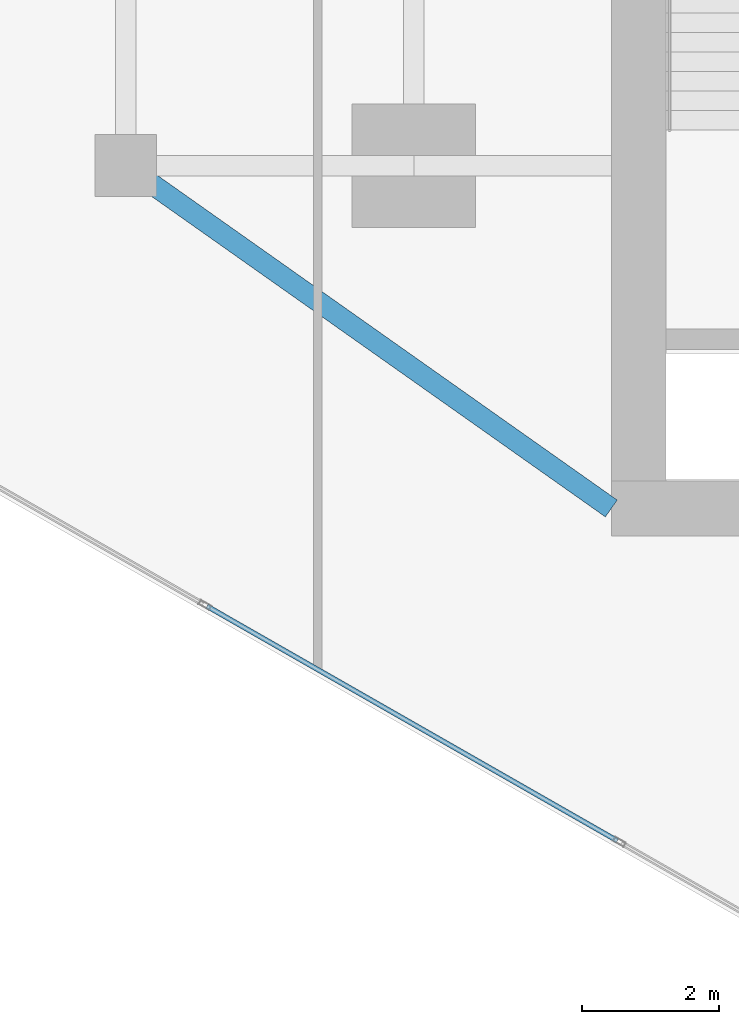
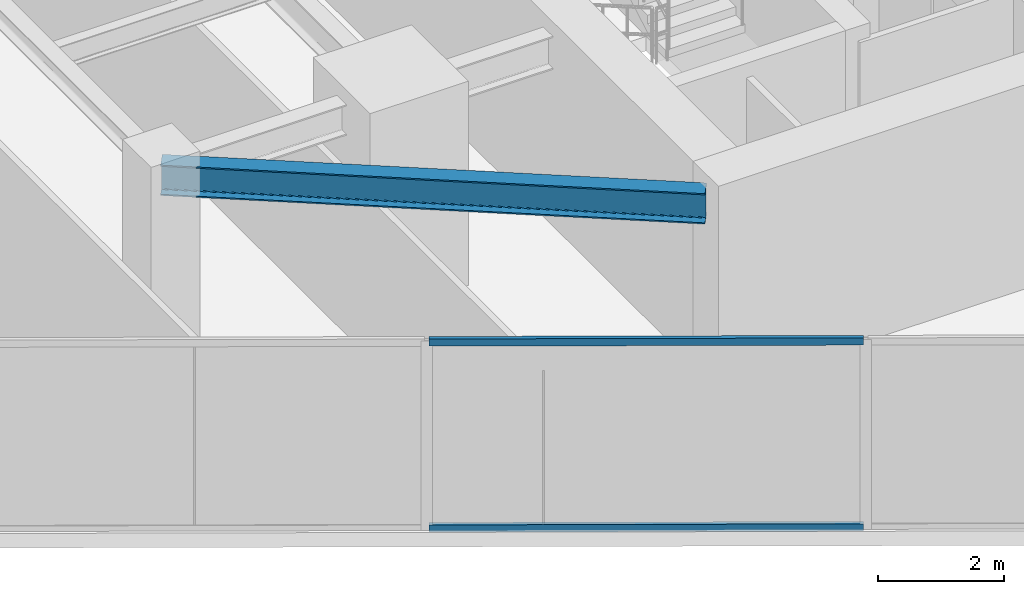
# One storey, part 4 of 24: 2 members, 1 beam, 1 element without a shape of its own.
"""IFC4 building model written with IfcOpenShell, lengths in metres."""

import ifcopenshell
import ifcopenshell.guid

model = None  # the IFC model being written
_history = None  # IfcOwnerHistory: only IFC2X3 demands one
_inside = {}  # id of a spatial element -> (the spatial element, [elements in it])
_under = {}  # id of a project, library or spatial element -> (it, [spatial elements below it])
_declared = {}  # id of a project -> (the project, [libraries it declares])
_typed = {}  # id of a type object -> (the type object, [elements of that type])
_made_of = {}  # id of a material, layer set ... -> (it, [elements and type objects made of it])


def new_model(schema):
    """Start an empty IFC model of exactly this schema.

    Asked for "IFC4X3", IfcOpenShell would pick the latest addendum, in which some entities
    have other attributes; the version numbers below select the first issue.
    IFC2X3 requires an IfcOwnerHistory on every rooted entity: one is made here for all.
    """
    global model, _history
    if schema == "IFC4X3":
        model = ifcopenshell.file(schema_version=(4, 3, 0, 0))
    else:
        model = ifcopenshell.file(schema=schema)
    _inside.clear()
    _under.clear()
    _declared.clear()
    _typed.clear()
    _made_of.clear()
    _history = None
    if model.schema == "IFC2X3":
        org = make("IfcOrganization", Name="unknown")
        user = make(
            "IfcPersonAndOrganization",
            ThePerson=make("IfcPerson", FamilyName="unknown"),
            TheOrganization=org,
        )
        app = make(
            "IfcApplication",
            ApplicationDeveloper=org,
            Version="unknown",
            ApplicationFullName="unknown",
            ApplicationIdentifier="unknown",
        )
        _history = make(
            "IfcOwnerHistory",
            OwningUser=user,
            OwningApplication=app,
            ChangeAction="ADDED",
            CreationDate=0,
        )
    return model


def make(cls, **values):
    """One entity of the class cls with the attributes given. An attribute that is None is left unset."""
    return model.create_entity(
        cls, **{name: value for name, value in values.items() if value is not None}
    )


def rooted(cls, **values):
    """An entity with a GlobalId (a new one), such as an element, a storey or a relation."""
    return make(cls, GlobalId=ifcopenshell.guid.new(), OwnerHistory=_history, **values)


def si_unit(unit_type, name, prefix=None):
    """IfcSIUnit, for example si_unit("LENGTHUNIT", "METRE", prefix="MILLI")."""
    return make("IfcSIUnit", UnitType=unit_type, Prefix=prefix, Name=name)


def assignment(units):
    """IfcUnitAssignment: the units of a project."""
    return None if units is None else make("IfcUnitAssignment", Units=units)


def point(xyz):
    """IfcCartesianPoint."""
    return None if xyz is None else make("IfcCartesianPoint", Coordinates=xyz)


def direction(xyz):
    """IfcDirection."""
    return None if xyz is None else make("IfcDirection", DirectionRatios=xyz)


def frame(location, z_axis=None, x_axis=None):
    """IfcAxis2Placement3D, a coordinate frame: its origin and axes. An axis left out is left unset."""
    return make(
        "IfcAxis2Placement3D",
        Location=point(location),
        Axis=direction(z_axis),
        RefDirection=direction(x_axis),
    )


def frame_2d(location, x_axis=None):
    """IfcAxis2Placement2D, a coordinate frame in the plane: its origin and x axis."""
    return make(
        "IfcAxis2Placement2D", Location=point(location), RefDirection=direction(x_axis)
    )


def origin():
    """The frame at (0, 0, 0) with its axes left unset."""
    return frame((0.0, 0.0, 0.0))


def origin_2d():
    """The frame at (0, 0) in the plane with its x axis left unset."""
    return frame_2d((0.0, 0.0))


def place(relative_to, where):
    """IfcLocalPlacement: puts the frame where relative to a parent placement (None: the world)."""
    return make(
        "IfcLocalPlacement", PlacementRelTo=relative_to, RelativePlacement=where
    )


def context(
    kind, dimensions, precision=None, world=None, true_north=None, identifier=None
):
    """IfcGeometricRepresentationContext, for example the 3D "Model" context."""
    return make(
        "IfcGeometricRepresentationContext",
        ContextIdentifier=identifier,
        ContextType=kind,
        CoordinateSpaceDimension=dimensions,
        Precision=precision,
        WorldCoordinateSystem=world,
        TrueNorth=true_north,
    )


def subcontext(parent, identifier, kind, view, scale=None):
    """IfcGeometricRepresentationSubContext, for example "Body" below "Model"."""
    return make(
        "IfcGeometricRepresentationSubContext",
        ContextIdentifier=identifier,
        ContextType=kind,
        ParentContext=parent,
        TargetScale=scale,
        TargetView=view,
    )


def project(units=None, contexts=None):
    """IfcProject with its units and contexts."""
    return rooted(
        "IfcProject",
        Name="project",
        RepresentationContexts=contexts,
        UnitsInContext=assignment(units),
    )


def spatial(cls, under=None, at=None, **own):
    """A site, building, storey or space (cls), placed at a placement, below another one or the project."""
    s = rooted(cls, ObjectPlacement=at, **own)
    if under is not None:
        _under.setdefault(under.id(), (under, []))[1].append(s)
    return s


def profile(cls, at=None, kind="AREA", **sizes):
    """A parametric profile (cls). Its sizes go by their IFC names, for example OverallWidth=200.0."""
    return make(cls, ProfileType=kind, Position=at, **sizes)


def hollow_rectangle(**sizes):
    """IfcRectangleHollowProfileDef."""
    return profile("IfcRectangleHollowProfileDef", **sizes)


def i_section(**sizes):
    """IfcIShapeProfileDef."""
    return profile("IfcIShapeProfileDef", **sizes)


def extrude(swept, where, along, depth):
    """IfcExtrudedAreaSolid: the profile swept, set in the frame where, extruded along a direction by depth."""
    return make(
        "IfcExtrudedAreaSolid",
        SweptArea=swept,
        Position=where,
        ExtrudedDirection=direction(along),
        Depth=depth,
    )


def shape(context_of_items, identifier, shape_type, items):
    """IfcShapeRepresentation: the items that make up one representation, for example the "Body"."""
    return make(
        "IfcShapeRepresentation",
        ContextOfItems=context_of_items,
        RepresentationIdentifier=identifier,
        RepresentationType=shape_type,
        Items=items,
    )


def source(mapping_origin, context_of_items, identifier, shape_type, items):
    """IfcRepresentationMap: a shape defined once, which mapped items show again and again."""
    return make(
        "IfcRepresentationMap",
        MappingOrigin=mapping_origin,
        MappedRepresentation=shape(context_of_items, identifier, shape_type, items),
    )


def transform(
    local_origin,
    x_axis=None,
    y_axis=None,
    z_axis=None,
    scale=None,
    scale2=None,
    scale3=None,
    uniform=True,
):
    """IfcCartesianTransformationOperator3D, or its non-uniform kind. x_axis, y_axis, z_axis: its Axis1, 2, 3."""
    if uniform:
        return make(
            "IfcCartesianTransformationOperator3D",
            Axis1=direction(x_axis),
            Axis2=direction(y_axis),
            LocalOrigin=point(local_origin),
            Scale=scale,
            Axis3=direction(z_axis),
        )
    return make(
        "IfcCartesianTransformationOperator3DnonUniform",
        Axis1=direction(x_axis),
        Axis2=direction(y_axis),
        LocalOrigin=point(local_origin),
        Scale=scale,
        Axis3=direction(z_axis),
        Scale2=scale2,
        Scale3=scale3,
    )


def mapped(mapping_source, mapping_target):
    """IfcMappedItem: shows the shape of a source again, moved by a transform."""
    return make(
        "IfcMappedItem", MappingSource=mapping_source, MappingTarget=mapping_target
    )


def material(Name=None, Category=None):
    """IfcMaterial."""
    return make("IfcMaterial", Name=Name, Category=Category)


def material_profile(
    of_material, cross_section, Name=None, Category=None, Priority=None
):
    """IfcMaterialProfile: a cross section and its material."""
    return make(
        "IfcMaterialProfile",
        Name=Name,
        Material=of_material,
        Profile=cross_section,
        Priority=Priority,
        Category=Category,
    )


def profile_set(profiles, Name=None, composite=None):
    """IfcMaterialProfileSet."""
    return make(
        "IfcMaterialProfileSet",
        Name=Name,
        MaterialProfiles=profiles,
        CompositeProfile=composite,
    )


def made_of(thing, what):
    """Note that an element or type object is made of a material, layer set ...; save() writes the relation."""
    if what is not None:
        _made_of.setdefault(what.id(), (what, []))[1].append(thing)
    return thing


def type_object(cls, material=None, **own):
    """A type object (cls), such as IfcWallType, which elements share."""
    return made_of(rooted(cls, **own), material)


def type_shapes(of_type, sources):
    """Give a type object the sources (RepresentationMaps) that its elements show as mapped items."""
    of_type.RepresentationMaps = sources


def element(
    cls,
    number,
    at=None,
    inside=None,
    cuts=None,
    type_object=None,
    material=None,
    context=None,
    identifier="Body",
    shape_type=None,
    held_by="IfcProductDefinitionShape",
    body=None,
    shapes=None,
    **own,
):
    """One element of the class cls, such as IfcWall. Its Tag is "e" and its number.

    at: its placement. inside: the storey or other place that contains it. cuts: it is an
    opening in that element (IfcRelVoidsElement). A single representation is given by context,
    identifier, shape_type and body (its items); several are given by shapes. held_by: the class
    of the entity that holds the representations. save() writes the other relations.
    """
    e = rooted(cls, Tag="e%d" % number, ObjectPlacement=at, **own)
    if body is not None:
        shapes = [shape(context, identifier, shape_type, body)]
    if shapes is not None:
        e.Representation = make(held_by, Representations=shapes)
    if inside is not None:
        _inside.setdefault(inside.id(), (inside, []))[1].append(e)
    if cuts is not None:
        rooted(
            "IfcRelVoidsElement", RelatingBuildingElement=cuts, RelatedOpeningElement=e
        )
    if type_object is not None:
        _typed.setdefault(type_object.id(), (type_object, []))[1].append(e)
    return made_of(e, material)


def aggregate(whole, parts):
    """IfcRelAggregates: a whole, such as a stair, and the parts it consists of."""
    return rooted("IfcRelAggregates", RelatingObject=whole, RelatedObjects=parts)


def save(model, path):
    """Write the relations noted so far, then the file.

    IfcRelAggregates (storeys below a building ...), IfcRelContainedInSpatialStructure (elements
    in a storey), IfcRelDefinesByType, IfcRelAssociatesMaterial and IfcRelDeclares: one each for
    every whole, place, type object, material and project.
    """
    for whole, parts in _under.values():
        aggregate(whole, parts)
    for where, things in _inside.values():
        rooted(
            "IfcRelContainedInSpatialStructure",
            RelatedElements=things,
            RelatingStructure=where,
        )
    for kind, things in _typed.values():
        rooted("IfcRelDefinesByType", RelatedObjects=things, RelatingType=kind)
    for what, things in _made_of.values():
        rooted("IfcRelAssociatesMaterial", RelatedObjects=things, RelatingMaterial=what)
    for by, libraries in _declared.values():
        rooted("IfcRelDeclares", RelatingContext=by, RelatedDefinitions=libraries)
    model.write(path)


model = new_model("IFC4")

# Units and contexts
model_context = context("Model", 3, precision=1e-05, world=origin(), true_north=direction((0.0, 1.0)))
body_context = subcontext(model_context, "Body", "Model", "MODEL_VIEW")
ifc_project = project(units=[si_unit("LENGTHUNIT", "METRE"), si_unit("AREAUNIT", "SQUARE_METRE"), si_unit("VOLUMEUNIT", "CUBIC_METRE"), si_unit("PLANEANGLEUNIT", "RADIAN"), si_unit("MASSUNIT", "GRAM", prefix="KILO")], contexts=[model_context])

# Site, building, storey
site_placement = place(None, origin())
site = spatial("IfcSite", under=ifc_project, at=site_placement, CompositionType="ELEMENT")
building_placement = place(site_placement, origin())
building = spatial("IfcBuilding", under=site, at=building_placement, Name="Krantzveldt Concourse Tower", CompositionType="ELEMENT")
storey_placement = place(building_placement, frame((0.0, 0.0, 165.949951171875)))
storey = spatial("IfcBuildingStorey", under=building, at=storey_placement, Name="L40", CompositionType="ELEMENT", Elevation=165.949951171875)

# Beam
ifc_material_1 = material(Name="Steel S355JR", Category="steel")
ifc_material_profile_1 = material_profile(ifc_material_1, i_section(OverallWidth=0.300048828125, OverallDepth=0.590087890625, WebThickness=0.012939453125, FlangeThickness=0.02490234375, FilletRadius=0.027099609375, at=origin_2d()), Name="Steel S355JR", Category="steel")
ifc_profile_set_1 = profile_set([ifc_material_profile_1], Name="Steel S355JR - HEA 600")
beam_type = type_object("IfcBeamType", Name="BM-B-HEA600", PredefinedType="BEAM", material=ifc_profile_set_1)
shared_shape_1 = source(origin(), body_context, "Body", "SweptSolid", [
    extrude(i_section(OverallWidth=0.300048828125, OverallDepth=0.590087890625, WebThickness=0.012939453125, FlangeThickness=0.02490234375, FilletRadius=0.027099609375, at=origin_2d()), origin(), (0.0, 0.0, 1.0), 8.667724609375),
])
type_shapes(beam_type, [shared_shape_1])
beam_placement = place(storey_placement, frame((21.0, 15.89990234375, 3.375), z_axis=(0.81684294656, -0.576860122261, 0.0), x_axis=(0.576860122261, 0.81684294656, 0.0)))
element("IfcBeam", 1, at=beam_placement, inside=storey, type_object=beam_type, Name="L40 Tower Girder BR-CSW", PredefinedType="BEAM", context=body_context, shape_type="MappedRepresentation", body=[
    mapped(shared_shape_1, transform((0.0, 0.0, 0.0), x_axis=(1.0, 0.0, 0.0), y_axis=(0.0, 1.0, 0.0), z_axis=(0.0, 0.0, 1.0), scale=1.0)),
])

# Curtain wall, members
ifc_material_2 = material(Name="Anodised aluminium 6063-T6", Category="aluminium")
curtain_wall_type = type_object("IfcCurtainWallType", Name="CW3", PredefinedType="USERDEFINED", material=ifc_material_2)
curtain_wall_placement = place(storey_placement, origin())
curtain_wall = element("IfcCurtainWall", 2, at=curtain_wall_placement, inside=storey, type_object=curtain_wall_type, Name="CW-L40-F08", ObjectType="UNITISED CURTAIN WALL", PredefinedType="USERDEFINED")
ifc_material_profile_2 = material_profile(ifc_material_2, hollow_rectangle(XDim=0.070068359375, YDim=0.139892578125, WallThickness=0.0048828125, at=origin_2d()), Name="Anodised aluminium 6063-T6", Category="aluminium")
ifc_profile_set_2 = profile_set([ifc_material_profile_2], Name="Anodised aluminium 6063-T6 - ALU-TRAN 140x70x5")
member_type = type_object("IfcMemberType", Name="CW-TRN-150", PredefinedType="USERDEFINED", material=ifc_profile_set_2)
shared_shape_2 = source(origin(), body_context, "Body", "SweptSolid", [
    extrude(hollow_rectangle(XDim=0.070068359375, YDim=0.139892578125, WallThickness=0.0048828125, at=origin_2d()), origin(), (0.0, 0.0, 1.0), 6.89013671875),
])
type_shapes(member_type, [shared_shape_2])
member_1_placement = place(storey_placement, frame((22.1865234375, 9.47412109375, 0.03515625), z_axis=(0.868199527911, -0.496215255443, 0.0), x_axis=(0.496215255443, 0.868199527911, 0.0)))
member_1 = element("IfcMember", 3, at=member_1_placement, type_object=member_type, Name="CW-Z34 transom 3.1", ObjectType="TRANSOM", PredefinedType="USERDEFINED", context=body_context, shape_type="MappedRepresentation", body=[
    mapped(shared_shape_2, transform((0.0, 0.0, 0.0), x_axis=(1.0, 0.0, 0.0), y_axis=(0.0, 1.0, 0.0), z_axis=(0.0, 0.0, 1.0), scale=1.0)),
])
member_2_placement = place(storey_placement, frame((22.1865234375, 9.47412109375, 3.635009765625), z_axis=(0.868199527911, -0.496215255443, 0.0), x_axis=(0.496215255443, 0.868199527911, 0.0)))
member_2 = element("IfcMember", 4, at=member_2_placement, type_object=member_type, Name="CW-Z34 transom 3.2", ObjectType="TRANSOM", PredefinedType="USERDEFINED", context=body_context, shape_type="MappedRepresentation", body=[
    mapped(shared_shape_2, transform((0.0, 0.0, 0.0), x_axis=(1.0, 0.0, 0.0), y_axis=(0.0, 1.0, 0.0), z_axis=(0.0, 0.0, 1.0), scale=1.0)),
])
aggregate(curtain_wall, [member_1, member_2])

save(model, "model.ifc")
